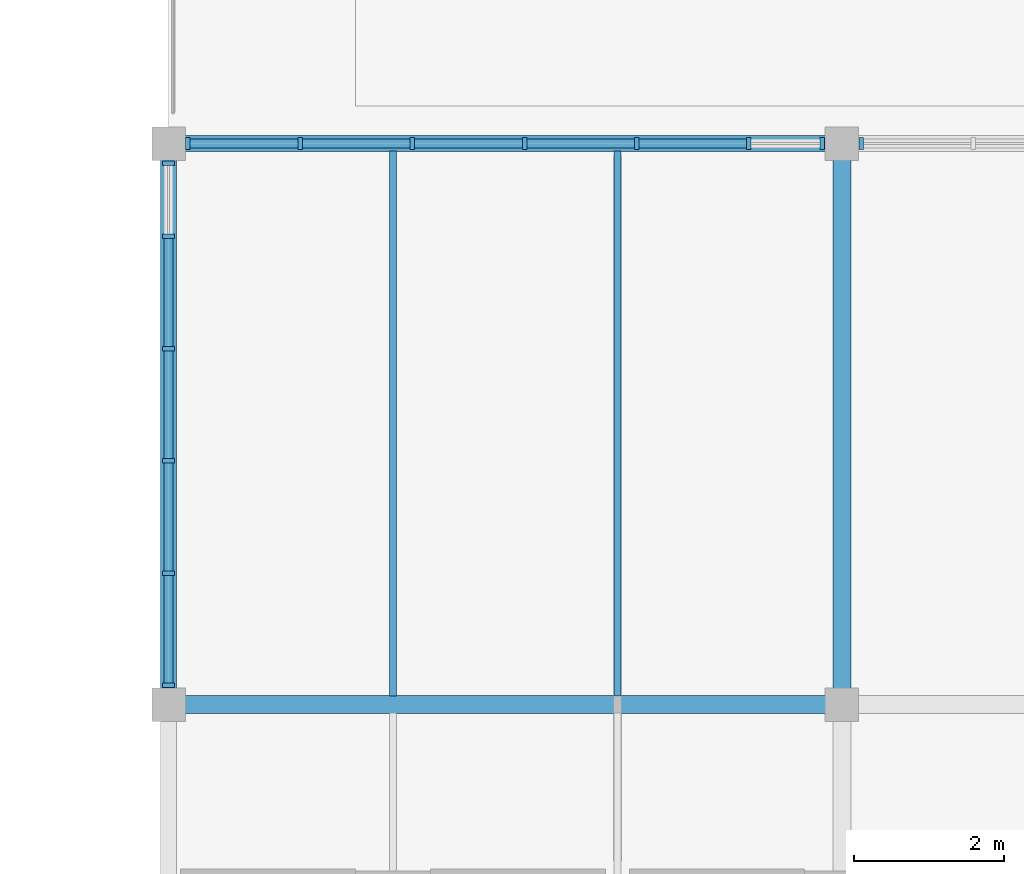
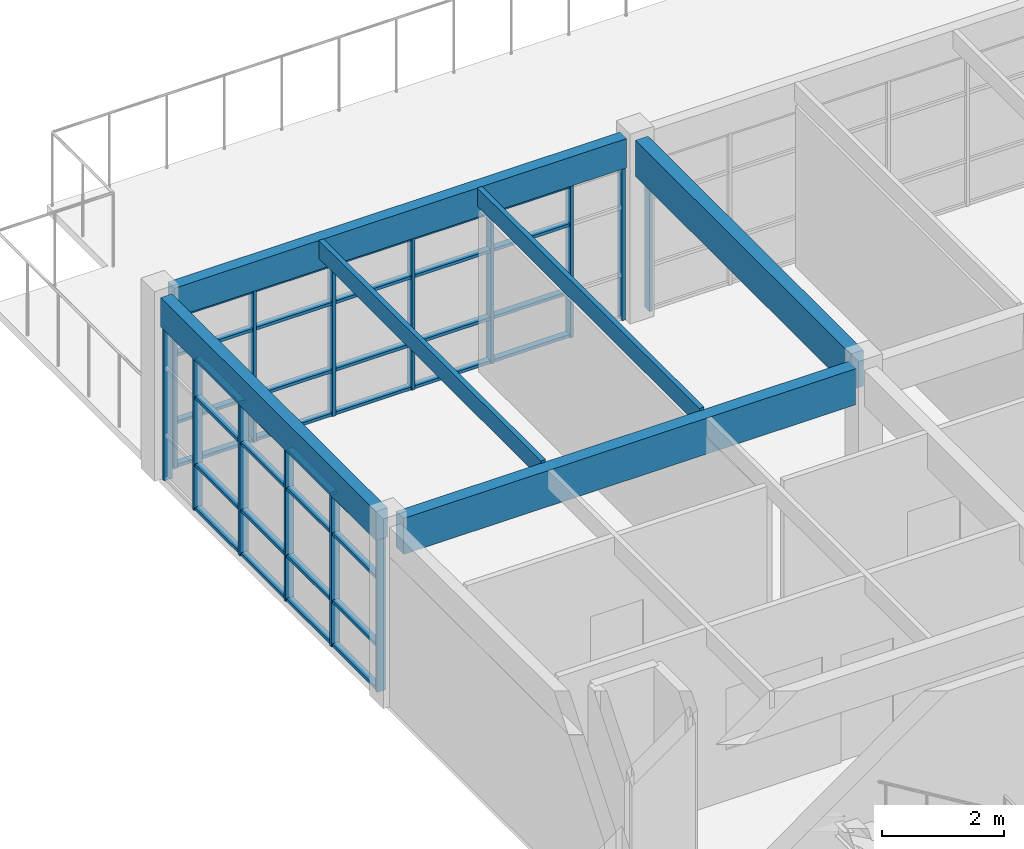
# One storey, part 13 of 45: 50 members, 6 beams, 3 elements without a shape of their own.
"""IFC4 building model written with IfcOpenShell, lengths in metres."""

from ifc_helpers import new_model, si_unit, direction, frame, origin, origin_2d, place, context, subcontext, project, spatial, rectangle, extrude, material, layer, layer_set, material_profile, profile_set, type_object, element, aggregate, save


model = new_model("IFC4")

# Units and contexts
model_context = context("Model", 3, precision=1e-05, world=origin(), true_north=direction((0.0, 1.0)))
body_context = subcontext(model_context, "Body", "Model", "MODEL_VIEW")
ifc_project = project(units=[si_unit("LENGTHUNIT", "METRE"), si_unit("AREAUNIT", "SQUARE_METRE"), si_unit("VOLUMEUNIT", "CUBIC_METRE"), si_unit("PLANEANGLEUNIT", "RADIAN"), si_unit("MASSUNIT", "GRAM", prefix="KILO")], contexts=[model_context])

# Site, building, storey
site_placement = place(None, origin())
site = spatial("IfcSite", under=ifc_project, at=site_placement, CompositionType="ELEMENT")
building_placement = place(site_placement, origin())
building = spatial("IfcBuilding", under=site, at=building_placement, Name="Marnridge Secondary College", CompositionType="ELEMENT")
storey_placement = place(building_placement, frame((0.0, 0.0, 12.300048828125)))
storey = spatial("IfcBuildingStorey", under=building, at=storey_placement, Name="L03", CompositionType="ELEMENT", Elevation=12.300048828125)

# Beams
ifc_material_1 = material(Name="Glulam timber GL18", Category="wood")
ifc_material_profile_1 = material_profile(ifc_material_1, rectangle(XDim=0.215087890625, YDim=0.5849609375, at=origin_2d()), Name="GL18 215x585")
ifc_profile_set_1 = profile_set([ifc_material_profile_1], Name="Glulam timber GL18")
beam_type_1 = type_object("IfcBeamType", Name="BM-GL585-EXT", PredefinedType="SPANDREL", material=ifc_profile_set_1)
beam_1_placement = place(storey_placement, frame((54.218994140625, 75.0, 3.347412109375), z_axis=(1.0, 0.0, 0.0), x_axis=(0.0, 1.0, 0.0)))
element("IfcBeam", 1, at=beam_1_placement, inside=storey, type_object=beam_type_1, Name="Beam BS-L03-1069", PredefinedType="SPANDREL", context=body_context, shape_type="SweptSolid", body=[
    extrude(rectangle(XDim=0.215087890625, YDim=0.5849609375, at=origin_2d()), origin(), (0.0, 0.0, 1.0), 8.56201171875),
])
beam_2_placement = place(storey_placement, frame((54.0, 67.718994140625, 3.347412109375), z_axis=(0.0, 1.0, 0.0), x_axis=(-1.0, 0.0, 0.0)))
element("IfcBeam", 2, at=beam_2_placement, inside=storey, type_object=beam_type_1, Name="Beam BS-L03-1070", PredefinedType="SPANDREL", context=body_context, shape_type="SweptSolid", body=[
    extrude(rectangle(XDim=0.215087890625, YDim=0.5849609375, at=origin_2d()), origin(), (0.0, 0.0, 1.0), 7.06201171875),
])
ifc_material_2 = material(Name="Glulam timber GL18", Category="wood")
ifc_material_profile_2 = material_profile(ifc_material_2, rectangle(XDim=0.239990234375, YDim=0.719970703125, at=origin_2d()), Name="GL18 240x720")
ifc_profile_set_2 = profile_set([ifc_material_profile_2], Name="Glulam timber GL18")
beam_type_2 = type_object("IfcBeamType", Name="BM-GL720-INT", PredefinedType="BEAM", material=ifc_profile_set_2)
beam_3_placement = place(storey_placement, frame((54.218994140625, 67.5, 3.22998046875), z_axis=(1.0, 0.0, 0.0), x_axis=(0.0, 1.0, 0.0)))
element("IfcBeam", 3, at=beam_3_placement, inside=storey, type_object=beam_type_2, Name="Beam B-L03-1046", PredefinedType="BEAM", context=body_context, shape_type="SweptSolid", body=[
    extrude(rectangle(XDim=0.239990234375, YDim=0.719970703125, at=origin_2d()), origin(), (0.0, 0.0, 1.0), 8.56201171875),
])
beam_4_placement = place(storey_placement, frame((63.0, 67.718994140625, 3.280029296875), z_axis=(0.0, 1.0, 0.0), x_axis=(-1.0, 0.0, 0.0)))
element("IfcBeam", 4, at=beam_4_placement, inside=storey, type_object=beam_type_2, Name="Beam B-L03-1071", PredefinedType="BEAM", context=body_context, shape_type="SweptSolid", body=[
    extrude(rectangle(XDim=0.239990234375, YDim=0.719970703125, at=origin_2d()), origin(), (0.0, 0.0, 1.0), 7.06201171875),
])
ifc_material_3 = material(Name="Engineered timber LVL E13.2", Category="wood")
ifc_material_profile_3 = material_profile(ifc_material_3, rectangle(XDim=0.090087890625, YDim=0.360107421875, at=origin_2d()), Name="LVL 90x360")
ifc_profile_set_3 = profile_set([ifc_material_profile_3], Name="Engineered timber LVL E13.2")
beam_type_3 = type_object("IfcBeamType", Name="BM-LVL360-INT", PredefinedType="JOIST", material=ifc_profile_set_3)
for number, where, z_axis, x_axis, name in (
    (5, (57.0, 67.614013671875, 3.4599609375), (0.0, 1.0, 0.0), (-1.0, 0.0, 0.0), "Beam BJ-L03-1097"),
    (6, (60.0, 67.614013671875, 3.4599609375), (0.0, 1.0, 0.0), (-1.0, 0.0, 0.0), "Beam BJ-L03-1098"),
):
    element("IfcBeam", number, at=place(storey_placement, frame(where, z_axis=z_axis, x_axis=x_axis)), inside=storey, type_object=beam_type_3, Name=name, PredefinedType="JOIST", context=body_context, shape_type="SweptSolid", body=[
        extrude(rectangle(XDim=0.090087890625, YDim=0.360107421875, at=origin_2d()), origin(), (0.0, 0.0, 1.0), 7.284423828125),
    ])

# Curtain wall, members
ifc_material_4 = material(Name="Thermally broken aluminium and low-E glazing", Category="aluminium")
ifc_layer = layer(ifc_material_4, 0.159912109375)
ifc_layer_set = layer_set([ifc_layer], Name="CW-MOD-1500")
curtain_wall_type = type_object("IfcCurtainWallType", Name="CW-MOD-1500", PredefinedType="NOTDEFINED", material=ifc_layer_set)
curtain_wall_1_placement = place(storey_placement, origin())
curtain_wall_1 = element("IfcCurtainWall", 7, at=curtain_wall_1_placement, inside=storey, type_object=curtain_wall_type, Name="Unitised curtain wall CW-L03-114", PredefinedType="NOTDEFINED")
ifc_material_5 = material(Name="Anodised aluminium 6063-T6", Category="aluminium")
ifc_material_profile_4 = material_profile(ifc_material_5, rectangle(XDim=0.06005859375, YDim=0.159912109375, at=origin_2d()), Name="ALU 60x160")
ifc_profile_set_4 = profile_set([ifc_material_profile_4], Name="Anodised aluminium 6063-T6")
member_type_1 = type_object("IfcMemberType", Name="CWM-ALU160", PredefinedType="MULLION", material=ifc_profile_set_4)
member_1_placement = place(storey_placement, frame((54.259033203125, 75.0, 0.0), z_axis=(0.0, 0.0, 1.0), x_axis=(1.0, 0.0, 0.0)))
member_1 = element("IfcMember", 8, at=member_1_placement, type_object=member_type_1, Name="CW-L03-114 mullion 1", PredefinedType="MULLION", context=body_context, shape_type="SweptSolid", body=[
    extrude(rectangle(XDim=0.06005859375, YDim=0.159912109375, at=origin_2d()), origin(), (0.0, 0.0, 1.0), 3.046875),
])
member_2_placement = place(storey_placement, frame((55.759033203125, 75.0, 0.0), z_axis=(0.0, 0.0, 1.0), x_axis=(1.0, 0.0, 0.0)))
member_2 = element("IfcMember", 9, at=member_2_placement, type_object=member_type_1, Name="CW-L03-114 mullion 2", PredefinedType="MULLION", context=body_context, shape_type="SweptSolid", body=[
    extrude(rectangle(XDim=0.06005859375, YDim=0.159912109375, at=origin_2d()), origin(), (0.0, 0.0, 1.0), 3.046875),
])
member_3_placement = place(storey_placement, frame((57.259033203125, 75.0, 0.0), z_axis=(0.0, 0.0, 1.0), x_axis=(1.0, 0.0, 0.0)))
member_3 = element("IfcMember", 10, at=member_3_placement, type_object=member_type_1, Name="CW-L03-114 mullion 3", PredefinedType="MULLION", context=body_context, shape_type="SweptSolid", body=[
    extrude(rectangle(XDim=0.06005859375, YDim=0.159912109375, at=origin_2d()), origin(), (0.0, 0.0, 1.0), 3.046875),
])
member_4_placement = place(storey_placement, frame((58.759033203125, 75.0, 0.0), z_axis=(0.0, 0.0, 1.0), x_axis=(1.0, 0.0, 0.0)))
member_4 = element("IfcMember", 11, at=member_4_placement, type_object=member_type_1, Name="CW-L03-114 mullion 4", PredefinedType="MULLION", context=body_context, shape_type="SweptSolid", body=[
    extrude(rectangle(XDim=0.06005859375, YDim=0.159912109375, at=origin_2d()), origin(), (0.0, 0.0, 1.0), 3.046875),
])
member_5_placement = place(storey_placement, frame((60.259033203125, 75.0, 0.0), z_axis=(0.0, 0.0, 1.0), x_axis=(1.0, 0.0, 0.0)))
member_5 = element("IfcMember", 12, at=member_5_placement, type_object=member_type_1, Name="CW-L03-114 mullion 5", PredefinedType="MULLION", context=body_context, shape_type="SweptSolid", body=[
    extrude(rectangle(XDim=0.06005859375, YDim=0.159912109375, at=origin_2d()), origin(), (0.0, 0.0, 1.0), 3.046875),
])
member_6_placement = place(storey_placement, frame((61.759033203125, 75.0, 0.0), z_axis=(0.0, 0.0, 1.0), x_axis=(1.0, 0.0, 0.0)))
member_6 = element("IfcMember", 13, at=member_6_placement, type_object=member_type_1, Name="CW-L03-114 mullion 6", PredefinedType="MULLION", context=body_context, shape_type="SweptSolid", body=[
    extrude(rectangle(XDim=0.06005859375, YDim=0.159912109375, at=origin_2d()), origin(), (0.0, 0.0, 1.0), 3.046875),
])
member_7_placement = place(storey_placement, frame((62.740966796875, 75.0, 0.0), z_axis=(0.0, 0.0, 1.0), x_axis=(1.0, 0.0, 0.0)))
member_7 = element("IfcMember", 14, at=member_7_placement, type_object=member_type_1, Name="CW-L03-114 mullion 7", PredefinedType="MULLION", context=body_context, shape_type="SweptSolid", body=[
    extrude(rectangle(XDim=0.06005859375, YDim=0.159912109375, at=origin_2d()), origin(), (0.0, 0.0, 1.0), 3.046875),
])

# Curtain wall, member
curtain_wall_2_placement = place(storey_placement, origin())
curtain_wall_2 = element("IfcCurtainWall", 15, at=curtain_wall_2_placement, inside=storey, type_object=curtain_wall_type, Name="Unitised curtain wall CW-L03-115", PredefinedType="NOTDEFINED")
member_8_placement = place(storey_placement, frame((63.259033203125, 75.0, 0.0), z_axis=(0.0, 0.0, 1.0), x_axis=(1.0, 0.0, 0.0)))
member_8 = element("IfcMember", 16, at=member_8_placement, type_object=member_type_1, Name="CW-L03-115 mullion 1", PredefinedType="MULLION", context=body_context, shape_type="SweptSolid", body=[
    extrude(rectangle(XDim=0.06005859375, YDim=0.159912109375, at=origin_2d()), origin(), (0.0, 0.0, 1.0), 3.046875),
])
aggregate(curtain_wall_2, [member_8])

# Curtain wall, members
curtain_wall_3_placement = place(storey_placement, origin())
curtain_wall_3 = element("IfcCurtainWall", 17, at=curtain_wall_3_placement, inside=storey, type_object=curtain_wall_type, Name="Unitised curtain wall CW-L03-117", PredefinedType="NOTDEFINED")
member_9_placement = place(storey_placement, frame((54.0, 67.759033203125, 0.0), z_axis=(0.0, 0.0, 1.0), x_axis=(0.0, 1.0, 0.0)))
member_9 = element("IfcMember", 18, at=member_9_placement, type_object=member_type_1, Name="CW-L03-117 mullion 1", PredefinedType="MULLION", context=body_context, shape_type="SweptSolid", body=[
    extrude(rectangle(XDim=0.06005859375, YDim=0.159912109375, at=origin_2d()), origin(), (0.0, 0.0, 1.0), 3.046875),
])
member_10_placement = place(storey_placement, frame((54.0, 69.259033203125, 0.0), z_axis=(0.0, 0.0, 1.0), x_axis=(0.0, 1.0, 0.0)))
member_10 = element("IfcMember", 19, at=member_10_placement, type_object=member_type_1, Name="CW-L03-117 mullion 2", PredefinedType="MULLION", context=body_context, shape_type="SweptSolid", body=[
    extrude(rectangle(XDim=0.06005859375, YDim=0.159912109375, at=origin_2d()), origin(), (0.0, 0.0, 1.0), 3.046875),
])
member_11_placement = place(storey_placement, frame((54.0, 70.759033203125, 0.0), z_axis=(0.0, 0.0, 1.0), x_axis=(0.0, 1.0, 0.0)))
member_11 = element("IfcMember", 20, at=member_11_placement, type_object=member_type_1, Name="CW-L03-117 mullion 3", PredefinedType="MULLION", context=body_context, shape_type="SweptSolid", body=[
    extrude(rectangle(XDim=0.06005859375, YDim=0.159912109375, at=origin_2d()), origin(), (0.0, 0.0, 1.0), 3.046875),
])
member_12_placement = place(storey_placement, frame((54.0, 72.259033203125, 0.0), z_axis=(0.0, 0.0, 1.0), x_axis=(0.0, 1.0, 0.0)))
member_12 = element("IfcMember", 21, at=member_12_placement, type_object=member_type_1, Name="CW-L03-117 mullion 4", PredefinedType="MULLION", context=body_context, shape_type="SweptSolid", body=[
    extrude(rectangle(XDim=0.06005859375, YDim=0.159912109375, at=origin_2d()), origin(), (0.0, 0.0, 1.0), 3.046875),
])
member_13_placement = place(storey_placement, frame((54.0, 73.759033203125, 0.0), z_axis=(0.0, 0.0, 1.0), x_axis=(0.0, 1.0, 0.0)))
member_13 = element("IfcMember", 22, at=member_13_placement, type_object=member_type_1, Name="CW-L03-117 mullion 5", PredefinedType="MULLION", context=body_context, shape_type="SweptSolid", body=[
    extrude(rectangle(XDim=0.06005859375, YDim=0.159912109375, at=origin_2d()), origin(), (0.0, 0.0, 1.0), 3.046875),
])
member_14_placement = place(storey_placement, frame((54.0, 74.740966796875, 0.0), z_axis=(0.0, 0.0, 1.0), x_axis=(0.0, 1.0, 0.0)))
member_14 = element("IfcMember", 23, at=member_14_placement, type_object=member_type_1, Name="CW-L03-117 mullion 6", PredefinedType="MULLION", context=body_context, shape_type="SweptSolid", body=[
    extrude(rectangle(XDim=0.06005859375, YDim=0.159912109375, at=origin_2d()), origin(), (0.0, 0.0, 1.0), 3.046875),
])

# Member
ifc_material_6 = material(Name="Anodised aluminium 6063-T6", Category="aluminium")
ifc_material_profile_5 = material_profile(ifc_material_6, rectangle(XDim=0.06005859375, YDim=0.1201171875, at=origin_2d()), Name="ALU 60x120")
ifc_profile_set_5 = profile_set([ifc_material_profile_5], Name="Anodised aluminium 6063-T6")
member_type_2 = type_object("IfcMemberType", Name="CWT-ALU120", PredefinedType="USERDEFINED", material=ifc_profile_set_5)
member_15_placement = place(storey_placement, frame((54.2890625, 75.0, 0.030029296875), z_axis=(1.0, 0.0, 0.0), x_axis=(0.0, 0.0, 1.0)))
member_15 = element("IfcMember", 24, at=member_15_placement, type_object=member_type_2, Name="CW-L03-114 transom 1.1", ObjectType="TRANSOM", PredefinedType="USERDEFINED", context=body_context, shape_type="SweptSolid", body=[
    extrude(rectangle(XDim=0.06005859375, YDim=0.1201171875, at=origin_2d()), origin(), (0.0, 0.0, 1.0), 1.43994140625),
])

member_16_placement = place(storey_placement, frame((54.2890625, 75.0, 0.89990234375), z_axis=(1.0, 0.0, 0.0), x_axis=(0.0, 0.0, 1.0)))
member_16 = element("IfcMember", 25, at=member_16_placement, type_object=member_type_2, Name="CW-L03-114 transom 1.2", ObjectType="TRANSOM", PredefinedType="USERDEFINED", context=body_context, shape_type="SweptSolid", body=[
    extrude(rectangle(XDim=0.06005859375, YDim=0.1201171875, at=origin_2d()), origin(), (0.0, 0.0, 1.0), 1.43994140625),
])

member_17_placement = place(storey_placement, frame((54.2890625, 75.0, 2.25), z_axis=(1.0, 0.0, 0.0), x_axis=(0.0, 0.0, 1.0)))
member_17 = element("IfcMember", 26, at=member_17_placement, type_object=member_type_2, Name="CW-L03-114 transom 1.3", ObjectType="TRANSOM", PredefinedType="USERDEFINED", context=body_context, shape_type="SweptSolid", body=[
    extrude(rectangle(XDim=0.06005859375, YDim=0.1201171875, at=origin_2d()), origin(), (0.0, 0.0, 1.0), 1.43994140625),
])

member_18_placement = place(storey_placement, frame((54.2890625, 75.0, 3.016845703125), z_axis=(1.0, 0.0, 0.0), x_axis=(0.0, 0.0, 1.0)))
member_18 = element("IfcMember", 27, at=member_18_placement, type_object=member_type_2, Name="CW-L03-114 transom 1.4", ObjectType="TRANSOM", PredefinedType="USERDEFINED", context=body_context, shape_type="SweptSolid", body=[
    extrude(rectangle(XDim=0.06005859375, YDim=0.1201171875, at=origin_2d()), origin(), (0.0, 0.0, 1.0), 1.43994140625),
])

member_19_placement = place(storey_placement, frame((55.7890625, 75.0, 0.030029296875), z_axis=(1.0, 0.0, 0.0), x_axis=(0.0, 0.0, 1.0)))
member_19 = element("IfcMember", 28, at=member_19_placement, type_object=member_type_2, Name="CW-L03-114 transom 2.1", ObjectType="TRANSOM", PredefinedType="USERDEFINED", context=body_context, shape_type="SweptSolid", body=[
    extrude(rectangle(XDim=0.06005859375, YDim=0.1201171875, at=origin_2d()), origin(), (0.0, 0.0, 1.0), 1.43994140625),
])

member_20_placement = place(storey_placement, frame((55.7890625, 75.0, 0.89990234375), z_axis=(1.0, 0.0, 0.0), x_axis=(0.0, 0.0, 1.0)))
member_20 = element("IfcMember", 29, at=member_20_placement, type_object=member_type_2, Name="CW-L03-114 transom 2.2", ObjectType="TRANSOM", PredefinedType="USERDEFINED", context=body_context, shape_type="SweptSolid", body=[
    extrude(rectangle(XDim=0.06005859375, YDim=0.1201171875, at=origin_2d()), origin(), (0.0, 0.0, 1.0), 1.43994140625),
])

member_21_placement = place(storey_placement, frame((55.7890625, 75.0, 2.25), z_axis=(1.0, 0.0, 0.0), x_axis=(0.0, 0.0, 1.0)))
member_21 = element("IfcMember", 30, at=member_21_placement, type_object=member_type_2, Name="CW-L03-114 transom 2.3", ObjectType="TRANSOM", PredefinedType="USERDEFINED", context=body_context, shape_type="SweptSolid", body=[
    extrude(rectangle(XDim=0.06005859375, YDim=0.1201171875, at=origin_2d()), origin(), (0.0, 0.0, 1.0), 1.43994140625),
])

member_22_placement = place(storey_placement, frame((55.7890625, 75.0, 3.016845703125), z_axis=(1.0, 0.0, 0.0), x_axis=(0.0, 0.0, 1.0)))
member_22 = element("IfcMember", 31, at=member_22_placement, type_object=member_type_2, Name="CW-L03-114 transom 2.4", ObjectType="TRANSOM", PredefinedType="USERDEFINED", context=body_context, shape_type="SweptSolid", body=[
    extrude(rectangle(XDim=0.06005859375, YDim=0.1201171875, at=origin_2d()), origin(), (0.0, 0.0, 1.0), 1.43994140625),
])

member_23_placement = place(storey_placement, frame((57.2890625, 75.0, 0.030029296875), z_axis=(1.0, 0.0, 0.0), x_axis=(0.0, 0.0, 1.0)))
member_23 = element("IfcMember", 32, at=member_23_placement, type_object=member_type_2, Name="CW-L03-114 transom 3.1", ObjectType="TRANSOM", PredefinedType="USERDEFINED", context=body_context, shape_type="SweptSolid", body=[
    extrude(rectangle(XDim=0.06005859375, YDim=0.1201171875, at=origin_2d()), origin(), (0.0, 0.0, 1.0), 1.43994140625),
])

member_24_placement = place(storey_placement, frame((57.2890625, 75.0, 0.89990234375), z_axis=(1.0, 0.0, 0.0), x_axis=(0.0, 0.0, 1.0)))
member_24 = element("IfcMember", 33, at=member_24_placement, type_object=member_type_2, Name="CW-L03-114 transom 3.2", ObjectType="TRANSOM", PredefinedType="USERDEFINED", context=body_context, shape_type="SweptSolid", body=[
    extrude(rectangle(XDim=0.06005859375, YDim=0.1201171875, at=origin_2d()), origin(), (0.0, 0.0, 1.0), 1.43994140625),
])

member_25_placement = place(storey_placement, frame((57.2890625, 75.0, 2.25), z_axis=(1.0, 0.0, 0.0), x_axis=(0.0, 0.0, 1.0)))
member_25 = element("IfcMember", 34, at=member_25_placement, type_object=member_type_2, Name="CW-L03-114 transom 3.3", ObjectType="TRANSOM", PredefinedType="USERDEFINED", context=body_context, shape_type="SweptSolid", body=[
    extrude(rectangle(XDim=0.06005859375, YDim=0.1201171875, at=origin_2d()), origin(), (0.0, 0.0, 1.0), 1.43994140625),
])

member_26_placement = place(storey_placement, frame((57.2890625, 75.0, 3.016845703125), z_axis=(1.0, 0.0, 0.0), x_axis=(0.0, 0.0, 1.0)))
member_26 = element("IfcMember", 35, at=member_26_placement, type_object=member_type_2, Name="CW-L03-114 transom 3.4", ObjectType="TRANSOM", PredefinedType="USERDEFINED", context=body_context, shape_type="SweptSolid", body=[
    extrude(rectangle(XDim=0.06005859375, YDim=0.1201171875, at=origin_2d()), origin(), (0.0, 0.0, 1.0), 1.43994140625),
])

member_27_placement = place(storey_placement, frame((58.7890625, 75.0, 0.030029296875), z_axis=(1.0, 0.0, 0.0), x_axis=(0.0, 0.0, 1.0)))
member_27 = element("IfcMember", 36, at=member_27_placement, type_object=member_type_2, Name="CW-L03-114 transom 4.1", ObjectType="TRANSOM", PredefinedType="USERDEFINED", context=body_context, shape_type="SweptSolid", body=[
    extrude(rectangle(XDim=0.06005859375, YDim=0.1201171875, at=origin_2d()), origin(), (0.0, 0.0, 1.0), 1.43994140625),
])

member_28_placement = place(storey_placement, frame((58.7890625, 75.0, 0.89990234375), z_axis=(1.0, 0.0, 0.0), x_axis=(0.0, 0.0, 1.0)))
member_28 = element("IfcMember", 37, at=member_28_placement, type_object=member_type_2, Name="CW-L03-114 transom 4.2", ObjectType="TRANSOM", PredefinedType="USERDEFINED", context=body_context, shape_type="SweptSolid", body=[
    extrude(rectangle(XDim=0.06005859375, YDim=0.1201171875, at=origin_2d()), origin(), (0.0, 0.0, 1.0), 1.43994140625),
])

member_29_placement = place(storey_placement, frame((58.7890625, 75.0, 2.25), z_axis=(1.0, 0.0, 0.0), x_axis=(0.0, 0.0, 1.0)))
member_29 = element("IfcMember", 38, at=member_29_placement, type_object=member_type_2, Name="CW-L03-114 transom 4.3", ObjectType="TRANSOM", PredefinedType="USERDEFINED", context=body_context, shape_type="SweptSolid", body=[
    extrude(rectangle(XDim=0.06005859375, YDim=0.1201171875, at=origin_2d()), origin(), (0.0, 0.0, 1.0), 1.43994140625),
])

member_30_placement = place(storey_placement, frame((58.7890625, 75.0, 3.016845703125), z_axis=(1.0, 0.0, 0.0), x_axis=(0.0, 0.0, 1.0)))
member_30 = element("IfcMember", 39, at=member_30_placement, type_object=member_type_2, Name="CW-L03-114 transom 4.4", ObjectType="TRANSOM", PredefinedType="USERDEFINED", context=body_context, shape_type="SweptSolid", body=[
    extrude(rectangle(XDim=0.06005859375, YDim=0.1201171875, at=origin_2d()), origin(), (0.0, 0.0, 1.0), 1.43994140625),
])

member_31_placement = place(storey_placement, frame((60.2890625, 75.0, 0.030029296875), z_axis=(1.0, 0.0, 0.0), x_axis=(0.0, 0.0, 1.0)))
member_31 = element("IfcMember", 40, at=member_31_placement, type_object=member_type_2, Name="CW-L03-114 transom 5.1", ObjectType="TRANSOM", PredefinedType="USERDEFINED", context=body_context, shape_type="SweptSolid", body=[
    extrude(rectangle(XDim=0.06005859375, YDim=0.1201171875, at=origin_2d()), origin(), (0.0, 0.0, 1.0), 1.43994140625),
])

member_32_placement = place(storey_placement, frame((60.2890625, 75.0, 0.89990234375), z_axis=(1.0, 0.0, 0.0), x_axis=(0.0, 0.0, 1.0)))
member_32 = element("IfcMember", 41, at=member_32_placement, type_object=member_type_2, Name="CW-L03-114 transom 5.2", ObjectType="TRANSOM", PredefinedType="USERDEFINED", context=body_context, shape_type="SweptSolid", body=[
    extrude(rectangle(XDim=0.06005859375, YDim=0.1201171875, at=origin_2d()), origin(), (0.0, 0.0, 1.0), 1.43994140625),
])

member_33_placement = place(storey_placement, frame((60.2890625, 75.0, 2.25), z_axis=(1.0, 0.0, 0.0), x_axis=(0.0, 0.0, 1.0)))
member_33 = element("IfcMember", 42, at=member_33_placement, type_object=member_type_2, Name="CW-L03-114 transom 5.3", ObjectType="TRANSOM", PredefinedType="USERDEFINED", context=body_context, shape_type="SweptSolid", body=[
    extrude(rectangle(XDim=0.06005859375, YDim=0.1201171875, at=origin_2d()), origin(), (0.0, 0.0, 1.0), 1.43994140625),
])

member_34_placement = place(storey_placement, frame((60.2890625, 75.0, 3.016845703125), z_axis=(1.0, 0.0, 0.0), x_axis=(0.0, 0.0, 1.0)))
member_34 = element("IfcMember", 43, at=member_34_placement, type_object=member_type_2, Name="CW-L03-114 transom 5.4", ObjectType="TRANSOM", PredefinedType="USERDEFINED", context=body_context, shape_type="SweptSolid", body=[
    extrude(rectangle(XDim=0.06005859375, YDim=0.1201171875, at=origin_2d()), origin(), (0.0, 0.0, 1.0), 1.43994140625),
])

aggregate(curtain_wall_1, [member_1, member_2, member_3, member_4, member_5, member_6, member_7, member_15, member_16, member_17, member_18, member_19, member_20, member_21, member_22, member_23, member_24, member_25, member_26, member_27, member_28, member_29, member_30, member_31, member_32, member_33, member_34])

member_35_placement = place(storey_placement, frame((54.0, 67.7890625, 0.030029296875), z_axis=(0.0, 1.0, 0.0), x_axis=(0.0, 0.0, 1.0)))
member_35 = element("IfcMember", 44, at=member_35_placement, type_object=member_type_2, Name="CW-L03-117 transom 1.1", ObjectType="TRANSOM", PredefinedType="USERDEFINED", context=body_context, shape_type="SweptSolid", body=[
    extrude(rectangle(XDim=0.06005859375, YDim=0.1201171875, at=origin_2d()), origin(), (0.0, 0.0, 1.0), 1.43994140625),
])

member_36_placement = place(storey_placement, frame((54.0, 67.7890625, 0.89990234375), z_axis=(0.0, 1.0, 0.0), x_axis=(0.0, 0.0, 1.0)))
member_36 = element("IfcMember", 45, at=member_36_placement, type_object=member_type_2, Name="CW-L03-117 transom 1.2", ObjectType="TRANSOM", PredefinedType="USERDEFINED", context=body_context, shape_type="SweptSolid", body=[
    extrude(rectangle(XDim=0.06005859375, YDim=0.1201171875, at=origin_2d()), origin(), (0.0, 0.0, 1.0), 1.43994140625),
])

member_37_placement = place(storey_placement, frame((54.0, 67.7890625, 2.25), z_axis=(0.0, 1.0, 0.0), x_axis=(0.0, 0.0, 1.0)))
member_37 = element("IfcMember", 46, at=member_37_placement, type_object=member_type_2, Name="CW-L03-117 transom 1.3", ObjectType="TRANSOM", PredefinedType="USERDEFINED", context=body_context, shape_type="SweptSolid", body=[
    extrude(rectangle(XDim=0.06005859375, YDim=0.1201171875, at=origin_2d()), origin(), (0.0, 0.0, 1.0), 1.43994140625),
])

member_38_placement = place(storey_placement, frame((54.0, 67.7890625, 3.016845703125), z_axis=(0.0, 1.0, 0.0), x_axis=(0.0, 0.0, 1.0)))
member_38 = element("IfcMember", 47, at=member_38_placement, type_object=member_type_2, Name="CW-L03-117 transom 1.4", ObjectType="TRANSOM", PredefinedType="USERDEFINED", context=body_context, shape_type="SweptSolid", body=[
    extrude(rectangle(XDim=0.06005859375, YDim=0.1201171875, at=origin_2d()), origin(), (0.0, 0.0, 1.0), 1.43994140625),
])

member_39_placement = place(storey_placement, frame((54.0, 69.2890625, 0.030029296875), z_axis=(0.0, 1.0, 0.0), x_axis=(0.0, 0.0, 1.0)))
member_39 = element("IfcMember", 48, at=member_39_placement, type_object=member_type_2, Name="CW-L03-117 transom 2.1", ObjectType="TRANSOM", PredefinedType="USERDEFINED", context=body_context, shape_type="SweptSolid", body=[
    extrude(rectangle(XDim=0.06005859375, YDim=0.1201171875, at=origin_2d()), origin(), (0.0, 0.0, 1.0), 1.43994140625),
])

member_40_placement = place(storey_placement, frame((54.0, 69.2890625, 0.89990234375), z_axis=(0.0, 1.0, 0.0), x_axis=(0.0, 0.0, 1.0)))
member_40 = element("IfcMember", 49, at=member_40_placement, type_object=member_type_2, Name="CW-L03-117 transom 2.2", ObjectType="TRANSOM", PredefinedType="USERDEFINED", context=body_context, shape_type="SweptSolid", body=[
    extrude(rectangle(XDim=0.06005859375, YDim=0.1201171875, at=origin_2d()), origin(), (0.0, 0.0, 1.0), 1.43994140625),
])

member_41_placement = place(storey_placement, frame((54.0, 69.2890625, 2.25), z_axis=(0.0, 1.0, 0.0), x_axis=(0.0, 0.0, 1.0)))
member_41 = element("IfcMember", 50, at=member_41_placement, type_object=member_type_2, Name="CW-L03-117 transom 2.3", ObjectType="TRANSOM", PredefinedType="USERDEFINED", context=body_context, shape_type="SweptSolid", body=[
    extrude(rectangle(XDim=0.06005859375, YDim=0.1201171875, at=origin_2d()), origin(), (0.0, 0.0, 1.0), 1.43994140625),
])

member_42_placement = place(storey_placement, frame((54.0, 69.2890625, 3.016845703125), z_axis=(0.0, 1.0, 0.0), x_axis=(0.0, 0.0, 1.0)))
member_42 = element("IfcMember", 51, at=member_42_placement, type_object=member_type_2, Name="CW-L03-117 transom 2.4", ObjectType="TRANSOM", PredefinedType="USERDEFINED", context=body_context, shape_type="SweptSolid", body=[
    extrude(rectangle(XDim=0.06005859375, YDim=0.1201171875, at=origin_2d()), origin(), (0.0, 0.0, 1.0), 1.43994140625),
])

member_43_placement = place(storey_placement, frame((54.0, 70.7890625, 0.030029296875), z_axis=(0.0, 1.0, 0.0), x_axis=(0.0, 0.0, 1.0)))
member_43 = element("IfcMember", 52, at=member_43_placement, type_object=member_type_2, Name="CW-L03-117 transom 3.1", ObjectType="TRANSOM", PredefinedType="USERDEFINED", context=body_context, shape_type="SweptSolid", body=[
    extrude(rectangle(XDim=0.06005859375, YDim=0.1201171875, at=origin_2d()), origin(), (0.0, 0.0, 1.0), 1.43994140625),
])

member_44_placement = place(storey_placement, frame((54.0, 70.7890625, 0.89990234375), z_axis=(0.0, 1.0, 0.0), x_axis=(0.0, 0.0, 1.0)))
member_44 = element("IfcMember", 53, at=member_44_placement, type_object=member_type_2, Name="CW-L03-117 transom 3.2", ObjectType="TRANSOM", PredefinedType="USERDEFINED", context=body_context, shape_type="SweptSolid", body=[
    extrude(rectangle(XDim=0.06005859375, YDim=0.1201171875, at=origin_2d()), origin(), (0.0, 0.0, 1.0), 1.43994140625),
])

member_45_placement = place(storey_placement, frame((54.0, 70.7890625, 2.25), z_axis=(0.0, 1.0, 0.0), x_axis=(0.0, 0.0, 1.0)))
member_45 = element("IfcMember", 54, at=member_45_placement, type_object=member_type_2, Name="CW-L03-117 transom 3.3", ObjectType="TRANSOM", PredefinedType="USERDEFINED", context=body_context, shape_type="SweptSolid", body=[
    extrude(rectangle(XDim=0.06005859375, YDim=0.1201171875, at=origin_2d()), origin(), (0.0, 0.0, 1.0), 1.43994140625),
])

member_46_placement = place(storey_placement, frame((54.0, 70.7890625, 3.016845703125), z_axis=(0.0, 1.0, 0.0), x_axis=(0.0, 0.0, 1.0)))
member_46 = element("IfcMember", 55, at=member_46_placement, type_object=member_type_2, Name="CW-L03-117 transom 3.4", ObjectType="TRANSOM", PredefinedType="USERDEFINED", context=body_context, shape_type="SweptSolid", body=[
    extrude(rectangle(XDim=0.06005859375, YDim=0.1201171875, at=origin_2d()), origin(), (0.0, 0.0, 1.0), 1.43994140625),
])

member_47_placement = place(storey_placement, frame((54.0, 72.2890625, 0.030029296875), z_axis=(0.0, 1.0, 0.0), x_axis=(0.0, 0.0, 1.0)))
member_47 = element("IfcMember", 56, at=member_47_placement, type_object=member_type_2, Name="CW-L03-117 transom 4.1", ObjectType="TRANSOM", PredefinedType="USERDEFINED", context=body_context, shape_type="SweptSolid", body=[
    extrude(rectangle(XDim=0.06005859375, YDim=0.1201171875, at=origin_2d()), origin(), (0.0, 0.0, 1.0), 1.43994140625),
])

member_48_placement = place(storey_placement, frame((54.0, 72.2890625, 0.89990234375), z_axis=(0.0, 1.0, 0.0), x_axis=(0.0, 0.0, 1.0)))
member_48 = element("IfcMember", 57, at=member_48_placement, type_object=member_type_2, Name="CW-L03-117 transom 4.2", ObjectType="TRANSOM", PredefinedType="USERDEFINED", context=body_context, shape_type="SweptSolid", body=[
    extrude(rectangle(XDim=0.06005859375, YDim=0.1201171875, at=origin_2d()), origin(), (0.0, 0.0, 1.0), 1.43994140625),
])

member_49_placement = place(storey_placement, frame((54.0, 72.2890625, 2.25), z_axis=(0.0, 1.0, 0.0), x_axis=(0.0, 0.0, 1.0)))
member_49 = element("IfcMember", 58, at=member_49_placement, type_object=member_type_2, Name="CW-L03-117 transom 4.3", ObjectType="TRANSOM", PredefinedType="USERDEFINED", context=body_context, shape_type="SweptSolid", body=[
    extrude(rectangle(XDim=0.06005859375, YDim=0.1201171875, at=origin_2d()), origin(), (0.0, 0.0, 1.0), 1.43994140625),
])

member_50_placement = place(storey_placement, frame((54.0, 72.2890625, 3.016845703125), z_axis=(0.0, 1.0, 0.0), x_axis=(0.0, 0.0, 1.0)))
member_50 = element("IfcMember", 59, at=member_50_placement, type_object=member_type_2, Name="CW-L03-117 transom 4.4", ObjectType="TRANSOM", PredefinedType="USERDEFINED", context=body_context, shape_type="SweptSolid", body=[
    extrude(rectangle(XDim=0.06005859375, YDim=0.1201171875, at=origin_2d()), origin(), (0.0, 0.0, 1.0), 1.43994140625),
])

aggregate(curtain_wall_3, [member_9, member_10, member_11, member_12, member_13, member_14, member_35, member_36, member_37, member_38, member_39, member_40, member_41, member_42, member_43, member_44, member_45, member_46, member_47, member_48, member_49, member_50])

save(model, "model.ifc")
